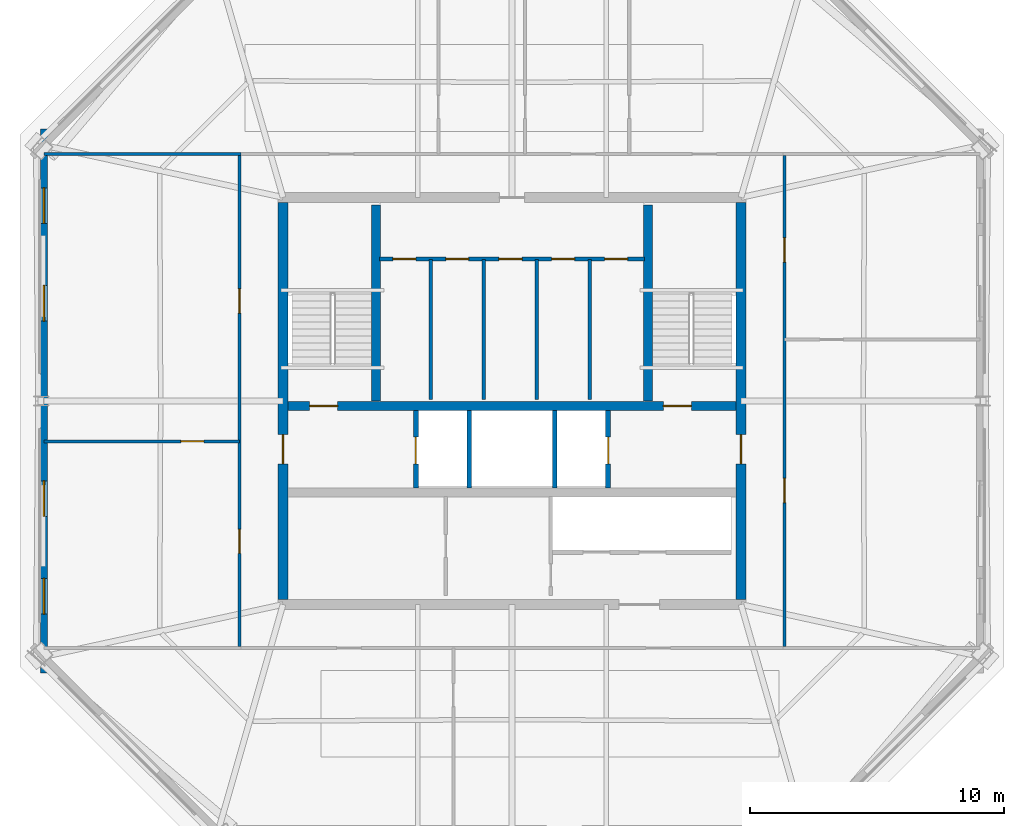
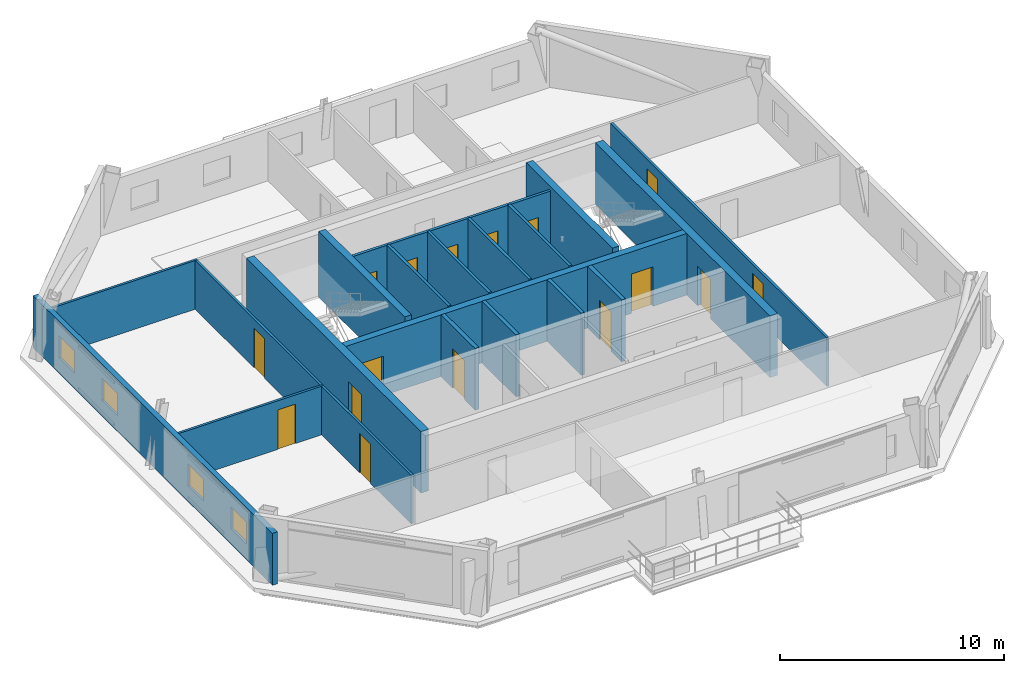
# One storey, part 3 of 7: 19 walls, 16 doors, 4 windows, 20 openings.
"""IFC4 building model written with IfcOpenShell, lengths in metres."""

from ifc_helpers import new_model, si_unit, direction, frame, frame_2d, origin, place, context, subcontext, project, spatial, rectangle, extrude, material, layer, layer_set, type_object, element, fill, save


model = new_model("IFC4")

# Units and contexts
model_context = context("Model", 3, precision=1e-05, world=origin(), true_north=direction((0.0, 1.0)))
body_context = subcontext(model_context, "Body", "Model", "MODEL_VIEW")
ifc_project = project(units=[si_unit("LENGTHUNIT", "METRE"), si_unit("AREAUNIT", "SQUARE_METRE"), si_unit("VOLUMEUNIT", "CUBIC_METRE"), si_unit("PLANEANGLEUNIT", "RADIAN"), si_unit("MASSUNIT", "GRAM", prefix="KILO")], contexts=[model_context])

# Site, building, storey
site_placement = place(None, origin())
site = spatial("IfcSite", under=ifc_project, at=site_placement, CompositionType="ELEMENT")
building_placement = place(site_placement, origin())
building = spatial("IfcBuilding", under=site, at=building_placement, Name="Caelvoria Tower", CompositionType="ELEMENT")
storey_placement = place(building_placement, frame((0.0, 0.0, 257.39990234375)))
storey = spatial("IfcBuildingStorey", under=building, at=storey_placement, Name="L68", CompositionType="ELEMENT", Elevation=257.39990234375)

# Wall, openings, doors
ifc_material_1 = material(Name="Concrete C50/60", Category="concrete")
ifc_layer_1 = layer(ifc_material_1, 0.35009765625, Name="Concrete C50/60")
ifc_layer_set_1 = layer_set([ifc_layer_1], Name="Core Internal Shear Wall 350 - Concrete C50/60")
wall_type_1 = type_object("IfcWallType", Name="Core Internal Shear Wall 350", PredefinedType="SHEAR", material=ifc_layer_set_1)
wall_1_placement = place(storey_placement, frame((37.199951171875, 31.800048828125, 0.0), z_axis=(0.0, 0.0, 1.0), x_axis=(1.0, 0.0, 0.0)))
wall_1 = element("IfcWall", 1, at=wall_1_placement, inside=storey, type_object=wall_type_1, Name="Core Shear Wall L68 M1", PredefinedType="SHEAR", context=body_context, shape_type="SweptSolid", body=[
    extrude(rectangle(XDim=17.60009765625, YDim=0.35009765625, at=frame_2d((8.800048828125, 0.0))), origin(), (0.0, 0.0, 1.0), 3.360107421875),
])
opening_1_placement = place(wall_1_placement, frame((0.85009765625, 0.0, 0.0)))
opening_1 = element("IfcOpeningElement", 2, at=opening_1_placement, cuts=wall_1, Name="Opening ID-01", PredefinedType="OPENING", context=body_context, shape_type="SweptSolid", body=[
    extrude(rectangle(XDim=1.10009765625, YDim=2.14990234375, at=frame_2d((0.550048828125, 1.074951171875))), frame((0.0, 0.18505859375, 0.0), z_axis=(0.0, -1.0, 0.0), x_axis=(1.0, 0.0, 0.0)), (0.0, 0.0, 1.0), 0.3701171875),
])
opening_2_placement = place(wall_1_placement, frame((14.75, 0.0, 0.0)))
opening_2 = element("IfcOpeningElement", 3, at=opening_2_placement, cuts=wall_1, Name="Opening ID-01", PredefinedType="OPENING", context=body_context, shape_type="SweptSolid", body=[
    extrude(rectangle(XDim=1.10009765625, YDim=2.14990234375, at=frame_2d((0.550048828125, 1.074951171875))), frame((0.0, 0.18505859375, 0.0), z_axis=(0.0, -1.0, 0.0), x_axis=(1.0, 0.0, 0.0)), (0.0, 0.0, 1.0), 0.3701171875),
])
ifc_material_2 = material(Name="Painted Hollow Steel Fire Door", Category="steel")
door_type_1 = type_object("IfcDoorType", Name="Fire Door FD90S 1100x2150", OperationType="NOTDEFINED", PredefinedType="DOOR", material=ifc_material_2)
door_1_placement = place(opening_1_placement, origin())
door_1 = element("IfcDoor", 4, at=door_1_placement, inside=storey, type_object=door_type_1, Name="Core Door DR-L68-ST1", OperationType="SINGLE_SWING_LEFT", OverallHeight=2.14990234375, OverallWidth=1.10009765625, PredefinedType="DOOR", context=body_context, shape_type="SweptSolid", body=[
    extrude(rectangle(XDim=1.10009765625, YDim=2.14990234375, at=frame_2d((0.550048828125, 1.074951171875))), frame((0.0, 0.02490234375, 0.0), z_axis=(0.0, -1.0, 0.0), x_axis=(1.0, 0.0, 0.0)), (0.0, 0.0, 1.0), 0.050048828125),
])
fill(opening_1, door_1)
door_2_placement = place(opening_2_placement, origin())
door_2 = element("IfcDoor", 5, at=door_2_placement, inside=storey, type_object=door_type_1, Name="Core Door DR-L68-ST2", OperationType="SINGLE_SWING_RIGHT", OverallHeight=2.14990234375, OverallWidth=1.10009765625, PredefinedType="DOOR", context=body_context, shape_type="SweptSolid", body=[
    extrude(rectangle(XDim=1.10009765625, YDim=2.14990234375, at=frame_2d((0.550048828125, 1.074951171875))), frame((0.0, 0.02490234375, 0.0), z_axis=(0.0, -1.0, 0.0), x_axis=(1.0, 0.0, 0.0)), (0.0, 0.0, 1.0), 0.050048828125),
])
fill(opening_2, door_2)

# Walls
for number, where, z_axis, x_axis, name in (
    (6, (40.64990234375, 32.0, 0.0), (0.0, 0.0, 1.0), (0.0, 1.0, 0.0), "Interior Partition IW-L68-ST1E"),
    (7, (51.35009765625, 32.0, 0.0), (0.0, 0.0, 1.0), (0.0, 1.0, 0.0), "Interior Partition IW-L68-ST2W"),
):
    element("IfcWall", number, at=place(storey_placement, frame(where, z_axis=z_axis, x_axis=x_axis)), inside=storey, type_object=wall_type_1, Name=name, PredefinedType="SHEAR", context=body_context, shape_type="SweptSolid", body=[
        extrude(rectangle(XDim=7.699951171875, YDim=0.35009765625, at=frame_2d((3.85009765625, 0.0))), origin(), (0.0, 0.0, 1.0), 3.60009765625),
    ])
ifc_material_3 = material(Name="Moisture-Resistant Gypsum on Steel Stud", Category="steel")
ifc_layer_2 = layer(ifc_material_3, 0.139892578125, Name="Moisture-Resistant Gypsum on Steel Stud")
ifc_layer_set_2 = layer_set([ifc_layer_2], Name="Core Sanitary Acoustic Partition Wall 140 - Moisture-Resistant Gypsum on Steel Stud")
wall_type_2 = type_object("IfcWallType", Name="Core Sanitary Acoustic Partition Wall 140", PredefinedType="PARTITIONING", material=ifc_layer_set_2)
for number, where, z_axis, x_axis, name in (
    (8, (42.81005859375, 32.050048828125, 0.0), (0.0, 0.0, 1.0), (0.0, 1.0, 0.0), "Interior Partition IW-L68-C1V0"),
    (9, (44.889892578125, 32.050048828125, 0.0), (0.0, 0.0, 1.0), (0.0, 1.0, 0.0), "Interior Partition IW-L68-C1V1"),
    (10, (46.969970703125, 32.050048828125, 0.0), (0.0, 0.0, 1.0), (0.0, 1.0, 0.0), "Interior Partition IW-L68-C1V2"),
    (11, (49.050048828125, 32.050048828125, 0.0), (0.0, 0.0, 1.0), (0.0, 1.0, 0.0), "Interior Partition IW-L68-C1V3"),
):
    element("IfcWall", number, at=place(storey_placement, frame(where, z_axis=z_axis, x_axis=x_axis)), inside=storey, type_object=wall_type_2, Name=name, PredefinedType="PARTITIONING", context=body_context, shape_type="SweptSolid", body=[
        extrude(rectangle(XDim=5.5, YDim=0.139892578125, at=frame_2d((2.75, 0.0))), origin(), (0.0, 0.0, 1.0), 3.375),
    ])

# Wall, openings, doors
wall_2_placement = place(storey_placement, frame((40.800048828125, 37.580078125, 0.0), z_axis=(0.0, 0.0, 1.0), x_axis=(1.0, 0.0, 0.0)))
wall_2 = element("IfcWall", 12, at=wall_2_placement, inside=storey, type_object=wall_type_2, Name="Interior Partition IW-L68-C1H", PredefinedType="PARTITIONING", context=body_context, shape_type="SweptSolid", body=[
    extrude(rectangle(XDim=10.39990234375, YDim=0.139892578125, at=frame_2d((5.199951171875, 0.0))), origin(), (0.0, 0.0, 1.0), 3.375),
])
opening_3_placement = place(wall_2_placement, frame((0.52001953125, 0.0, 0.0)))
opening_3 = element("IfcOpeningElement", 13, at=opening_3_placement, cuts=wall_2, Name="Opening ID-06", PredefinedType="OPENING", context=body_context, shape_type="SweptSolid", body=[
    extrude(rectangle(XDim=0.89990234375, YDim=2.14990234375, at=frame_2d((0.449951171875, 1.074951171875))), frame((0.0, 0.079833984375, 0.0), z_axis=(0.0, -1.0, 0.0), x_axis=(1.0, 0.0, 0.0)), (0.0, 0.0, 1.0), 0.159912109375),
])
opening_4_placement = place(wall_2_placement, frame((2.60009765625, 0.0, 0.0)))
opening_4 = element("IfcOpeningElement", 14, at=opening_4_placement, cuts=wall_2, Name="Opening ID-06", PredefinedType="OPENING", context=body_context, shape_type="SweptSolid", body=[
    extrude(rectangle(XDim=0.89990234375, YDim=2.14990234375, at=frame_2d((0.449951171875, 1.074951171875))), frame((0.0, 0.079833984375, 0.0), z_axis=(0.0, -1.0, 0.0), x_axis=(1.0, 0.0, 0.0)), (0.0, 0.0, 1.0), 0.159912109375),
])
opening_5_placement = place(wall_2_placement, frame((4.679931640625, 0.0, 0.0)))
opening_5 = element("IfcOpeningElement", 15, at=opening_5_placement, cuts=wall_2, Name="Opening ID-07", PredefinedType="OPENING", context=body_context, shape_type="SweptSolid", body=[
    extrude(rectangle(XDim=0.919921875, YDim=2.14990234375, at=frame_2d((0.4599609375, 1.074951171875))), frame((0.0, 0.079833984375, 0.0), z_axis=(0.0, -1.0, 0.0), x_axis=(1.0, 0.0, 0.0)), (0.0, 0.0, 1.0), 0.159912109375),
])
opening_6_placement = place(wall_2_placement, frame((6.760009765625, 0.0, 0.0)))
opening_6 = element("IfcOpeningElement", 16, at=opening_6_placement, cuts=wall_2, Name="Opening ID-06", PredefinedType="OPENING", context=body_context, shape_type="SweptSolid", body=[
    extrude(rectangle(XDim=0.89990234375, YDim=2.14990234375, at=frame_2d((0.449951171875, 1.074951171875))), frame((0.0, 0.079833984375, 0.0), z_axis=(0.0, -1.0, 0.0), x_axis=(1.0, 0.0, 0.0)), (0.0, 0.0, 1.0), 0.159912109375),
])
opening_7_placement = place(wall_2_placement, frame((8.840087890625, 0.0, 0.0)))
opening_7 = element("IfcOpeningElement", 17, at=opening_7_placement, cuts=wall_2, Name="Opening ID-06", PredefinedType="OPENING", context=body_context, shape_type="SweptSolid", body=[
    extrude(rectangle(XDim=0.89990234375, YDim=2.14990234375, at=frame_2d((0.449951171875, 1.074951171875))), frame((0.0, 0.079833984375, 0.0), z_axis=(0.0, -1.0, 0.0), x_axis=(1.0, 0.0, 0.0)), (0.0, 0.0, 1.0), 0.159912109375),
])
ifc_material_4 = material(Name="Engineered Andean Oak Accessible Door", Category="wood")
door_type_2 = type_object("IfcDoorType", Name="Accessible WC Door 950x2150", OperationType="NOTDEFINED", PredefinedType="DOOR", material=ifc_material_4)
door_3_placement = place(opening_5_placement, origin())
door_3 = element("IfcDoor", 18, at=door_3_placement, inside=storey, type_object=door_type_2, Name="Interior Door DR-L68-C1-3", OperationType="SINGLE_SWING_LEFT", OverallHeight=2.14990234375, OverallWidth=0.919921875, PredefinedType="DOOR", context=body_context, shape_type="SweptSolid", body=[
    extrude(rectangle(XDim=0.919921875, YDim=2.14990234375, at=frame_2d((0.4599609375, 1.074951171875))), frame((0.0, 0.02490234375, 0.0), z_axis=(0.0, -1.0, 0.0), x_axis=(1.0, 0.0, 0.0)), (0.0, 0.0, 1.0), 0.050048828125),
])
fill(opening_5, door_3)
ifc_material_5 = material(Name="Engineered Andean Oak Veneer Door", Category="wood")
door_type_3 = type_object("IfcDoorType", Name="Interior Timber Door 900x2150", OperationType="NOTDEFINED", PredefinedType="DOOR", material=ifc_material_5)
door_4_placement = place(opening_3_placement, origin())
door_4 = element("IfcDoor", 19, at=door_4_placement, inside=storey, type_object=door_type_3, Name="Interior Door DR-L68-C1-1", OperationType="SINGLE_SWING_LEFT", OverallHeight=2.14990234375, OverallWidth=0.89990234375, PredefinedType="DOOR", context=body_context, shape_type="SweptSolid", body=[
    extrude(rectangle(XDim=0.89990234375, YDim=2.14990234375, at=frame_2d((0.449951171875, 1.074951171875))), frame((0.0, 0.02490234375, 0.0), z_axis=(0.0, -1.0, 0.0), x_axis=(1.0, 0.0, 0.0)), (0.0, 0.0, 1.0), 0.050048828125),
])
fill(opening_3, door_4)
door_5_placement = place(opening_4_placement, origin())
door_5 = element("IfcDoor", 20, at=door_5_placement, inside=storey, type_object=door_type_3, Name="Interior Door DR-L68-C1-2", OperationType="SINGLE_SWING_RIGHT", OverallHeight=2.14990234375, OverallWidth=0.89990234375, PredefinedType="DOOR", context=body_context, shape_type="SweptSolid", body=[
    extrude(rectangle(XDim=0.89990234375, YDim=2.14990234375, at=frame_2d((0.449951171875, 1.074951171875))), frame((0.0, 0.02490234375, 0.0), z_axis=(0.0, -1.0, 0.0), x_axis=(1.0, 0.0, 0.0)), (0.0, 0.0, 1.0), 0.050048828125),
])
fill(opening_4, door_5)
door_6_placement = place(opening_6_placement, origin())
door_6 = element("IfcDoor", 21, at=door_6_placement, inside=storey, type_object=door_type_3, Name="Interior Door DR-L68-C1-4", OperationType="SINGLE_SWING_RIGHT", OverallHeight=2.14990234375, OverallWidth=0.89990234375, PredefinedType="DOOR", context=body_context, shape_type="SweptSolid", body=[
    extrude(rectangle(XDim=0.89990234375, YDim=2.14990234375, at=frame_2d((0.449951171875, 1.074951171875))), frame((0.0, 0.02490234375, 0.0), z_axis=(0.0, -1.0, 0.0), x_axis=(1.0, 0.0, 0.0)), (0.0, 0.0, 1.0), 0.050048828125),
])
fill(opening_6, door_6)
door_7_placement = place(opening_7_placement, origin())
door_7 = element("IfcDoor", 22, at=door_7_placement, inside=storey, type_object=door_type_3, Name="Interior Door DR-L68-C1-5", OperationType="SINGLE_SWING_LEFT", OverallHeight=2.14990234375, OverallWidth=0.89990234375, PredefinedType="DOOR", context=body_context, shape_type="SweptSolid", body=[
    extrude(rectangle(XDim=0.89990234375, YDim=2.14990234375, at=frame_2d((0.449951171875, 1.074951171875))), frame((0.0, 0.02490234375, 0.0), z_axis=(0.0, -1.0, 0.0), x_axis=(1.0, 0.0, 0.0)), (0.0, 0.0, 1.0), 0.050048828125),
])
fill(opening_7, door_7)

# Walls
ifc_material_6 = material(Name="Concrete Block and Fireboard Assembly", Category="concrete")
ifc_layer_3 = layer(ifc_material_6, 0.179931640625, Name="Concrete Block and Fireboard Assembly")
ifc_layer_set_3 = layer_set([ifc_layer_3], Name="Fire-Rated Hoistway Partition Wall 180 - Concrete Block and Fireboard Assembly")
wall_type_3 = type_object("IfcWallType", Name="Fire-Rated Hoistway Partition Wall 180", PredefinedType="PARTITIONING", material=ifc_layer_set_3)
for number, where, z_axis, x_axis, name in (
    (23, (44.320068359375, 28.580078125, 0.0), (0.0, 0.0, 1.0), (0.0, 1.0, 0.0), "Interior Partition IW-L68-SV1W"),
    (24, (47.679931640625, 28.580078125, 0.0), (0.0, 0.0, 1.0), (0.0, 1.0, 0.0), "Interior Partition IW-L68-SV1E"),
):
    element("IfcWall", number, at=place(storey_placement, frame(where, z_axis=z_axis, x_axis=x_axis)), inside=storey, type_object=wall_type_3, Name=name, PredefinedType="PARTITIONING", context=body_context, shape_type="SweptSolid", body=[
        extrude(rectangle(XDim=3.0400390625, YDim=0.179931640625, at=frame_2d((1.52001953125, 0.0))), origin(), (0.0, 0.0, 1.0), 3.375),
    ])

# Wall, opening, door
ifc_layer_4 = layer(ifc_material_6, 0.199951171875, Name="Concrete Block and Fireboard Assembly")
ifc_layer_set_4 = layer_set([ifc_layer_4], Name="Fire-Rated Shaft and Core Partition Wall 200 - Concrete Block and Fireboard Assembly")
wall_type_4 = type_object("IfcWallType", Name="Fire-Rated Shaft and Core Partition Wall 200", PredefinedType="PARTITIONING", material=ifc_layer_set_4)
wall_3_placement = place(storey_placement, frame((42.219970703125, 28.580078125, 0.0), z_axis=(0.0, 0.0, 1.0), x_axis=(0.0, 1.0, 0.0)))
wall_3 = element("IfcWall", 25, at=wall_3_placement, inside=storey, type_object=wall_type_4, Name="Interior Partition IW-L68-LF1W", PredefinedType="PARTITIONING", context=body_context, shape_type="SweptSolid", body=[
    extrude(rectangle(XDim=3.0400390625, YDim=0.199951171875, at=frame_2d((1.52001953125, 0.0))), origin(), (0.0, 0.0, 1.0), 3.375),
])
opening_8_placement = place(wall_3_placement, frame((0.949951171875, 0.0, 0.0)))
opening_8 = element("IfcOpeningElement", 26, at=opening_8_placement, cuts=wall_3, Name="Opening LD-01", PredefinedType="OPENING", context=body_context, shape_type="SweptSolid", body=[
    extrude(rectangle(XDim=1.050048828125, YDim=2.14990234375, at=frame_2d((0.52490234375, 1.074951171875))), frame((0.0, 0.10986328125, 0.0), z_axis=(0.0, -1.0, 0.0), x_axis=(1.0, 0.0, 0.0)), (0.0, 0.0, 1.0), 0.219970703125),
])
ifc_material_7 = material(Name="Brushed Bronze Stainless Sliding Landing Door", Category="aluminium")
door_type_4 = type_object("IfcDoorType", Name="Lift Landing Sliding Door 1100x2150", OperationType="NOTDEFINED", PredefinedType="DOOR", material=ifc_material_7)
door_8_placement = place(opening_8_placement, origin())
door_8 = element("IfcDoor", 27, at=door_8_placement, inside=storey, type_object=door_type_4, Name="Interior Door LD-L68-LF1", OperationType="SLIDING_TO_LEFT", OverallHeight=2.14990234375, OverallWidth=1.050048828125, PredefinedType="DOOR", context=body_context, shape_type="SweptSolid", body=[
    extrude(rectangle(XDim=1.050048828125, YDim=2.14990234375, at=frame_2d((0.52490234375, 1.074951171875))), frame((0.0, 0.02490234375, 0.0), z_axis=(0.0, -1.0, 0.0), x_axis=(1.0, 0.0, 0.0)), (0.0, 0.0, 1.0), 0.050048828125),
])
fill(opening_8, door_8)

wall_4_placement = place(storey_placement, frame((49.780029296875, 28.580078125, 0.0), z_axis=(0.0, 0.0, 1.0), x_axis=(0.0, 1.0, 0.0)))
wall_4 = element("IfcWall", 28, at=wall_4_placement, inside=storey, type_object=wall_type_4, Name="Interior Partition IW-L68-LF2E", PredefinedType="PARTITIONING", context=body_context, shape_type="SweptSolid", body=[
    extrude(rectangle(XDim=3.0400390625, YDim=0.199951171875, at=frame_2d((1.52001953125, 0.0))), origin(), (0.0, 0.0, 1.0), 3.375),
])
opening_9_placement = place(wall_4_placement, frame((0.949951171875, 0.0, 0.0)))
opening_9 = element("IfcOpeningElement", 29, at=opening_9_placement, cuts=wall_4, Name="Opening LD-01", PredefinedType="OPENING", context=body_context, shape_type="SweptSolid", body=[
    extrude(rectangle(XDim=1.050048828125, YDim=2.14990234375, at=frame_2d((0.52490234375, 1.074951171875))), frame((0.0, 0.10986328125, 0.0), z_axis=(0.0, -1.0, 0.0), x_axis=(1.0, 0.0, 0.0)), (0.0, 0.0, 1.0), 0.219970703125),
])
door_9_placement = place(opening_9_placement, origin())
door_9 = element("IfcDoor", 30, at=door_9_placement, inside=storey, type_object=door_type_4, Name="Interior Door LD-L68-LF2", OperationType="SLIDING_TO_RIGHT", OverallHeight=2.14990234375, OverallWidth=1.050048828125, PredefinedType="DOOR", context=body_context, shape_type="SweptSolid", body=[
    extrude(rectangle(XDim=1.050048828125, YDim=2.14990234375, at=frame_2d((0.52490234375, 1.074951171875))), frame((0.0, 0.02490234375, 0.0), z_axis=(0.0, -1.0, 0.0), x_axis=(1.0, 0.0, 0.0)), (0.0, 0.0, 1.0), 0.050048828125),
])
fill(opening_9, door_9)

ifc_layer_5 = layer(ifc_material_1, 0.39990234375, Name="Concrete C50/60")
ifc_layer_set_5 = layer_set([ifc_layer_5], Name="Summit Core Shear Wall 400 - Concrete C50/60")
wall_type_5 = type_object("IfcWallType", Name="Summit Core Shear Wall 400", PredefinedType="SHEAR", material=ifc_layer_set_5)
wall_5_placement = place(storey_placement, frame((37.0, 24.199951171875, 0.0), z_axis=(0.0, 0.0, 1.0), x_axis=(0.0, 1.0, 0.0)))
wall_5 = element("IfcWall", 31, at=wall_5_placement, inside=storey, type_object=wall_type_5, Name="Core Shear Wall L68 W", PredefinedType="SHEAR", context=body_context, shape_type="SweptSolid", body=[
    extrude(rectangle(XDim=15.60009765625, YDim=0.39990234375, at=frame_2d((7.800048828125, 0.0))), origin(), (0.0, 0.0, 1.0), 3.360107421875),
])
opening_10_placement = place(wall_5_placement, frame((5.324951171875, 0.0, 0.0)))
opening_10 = element("IfcOpeningElement", 32, at=opening_10_placement, cuts=wall_5, Name="Opening ID-02", PredefinedType="OPENING", context=body_context, shape_type="SweptSolid", body=[
    extrude(rectangle(XDim=1.14990234375, YDim=2.14990234375, at=frame_2d((0.574951171875, 1.074951171875))), frame((0.0, 0.2099609375, 0.0), z_axis=(0.0, -1.0, 0.0), x_axis=(1.0, 0.0, 0.0)), (0.0, 0.0, 1.0), 0.419921875),
])
door_type_5 = type_object("IfcDoorType", Name="Fire Door FD60S 1150x2150", OperationType="NOTDEFINED", PredefinedType="DOOR", material=ifc_material_2)
door_10_placement = place(opening_10_placement, origin())
door_10 = element("IfcDoor", 33, at=door_10_placement, inside=storey, type_object=door_type_5, Name="Core Door DR-L68-FFLW-OUT", OperationType="SINGLE_SWING_LEFT", OverallHeight=2.14990234375, OverallWidth=1.14990234375, PredefinedType="DOOR", context=body_context, shape_type="SweptSolid", body=[
    extrude(rectangle(XDim=1.14990234375, YDim=2.14990234375, at=frame_2d((0.574951171875, 1.074951171875))), frame((0.0, 0.02490234375, 0.0), z_axis=(0.0, -1.0, 0.0), x_axis=(1.0, 0.0, 0.0)), (0.0, 0.0, 1.0), 0.050048828125),
])
fill(opening_10, door_10)

wall_6_placement = place(storey_placement, frame((55.0, 24.199951171875, 0.0), z_axis=(0.0, 0.0, 1.0), x_axis=(0.0, 1.0, 0.0)))
wall_6 = element("IfcWall", 34, at=wall_6_placement, inside=storey, type_object=wall_type_5, Name="Core Shear Wall L68 E", PredefinedType="SHEAR", context=body_context, shape_type="SweptSolid", body=[
    extrude(rectangle(XDim=15.60009765625, YDim=0.39990234375, at=frame_2d((7.800048828125, 0.0))), origin(), (0.0, 0.0, 1.0), 3.360107421875),
])
opening_11_placement = place(wall_6_placement, frame((5.324951171875, 0.0, 0.0)))
opening_11 = element("IfcOpeningElement", 35, at=opening_11_placement, cuts=wall_6, Name="Opening ID-02", PredefinedType="OPENING", context=body_context, shape_type="SweptSolid", body=[
    extrude(rectangle(XDim=1.14990234375, YDim=2.14990234375, at=frame_2d((0.574951171875, 1.074951171875))), frame((0.0, 0.2099609375, 0.0), z_axis=(0.0, -1.0, 0.0), x_axis=(1.0, 0.0, 0.0)), (0.0, 0.0, 1.0), 0.419921875),
])
door_11_placement = place(opening_11_placement, origin())
door_11 = element("IfcDoor", 36, at=door_11_placement, inside=storey, type_object=door_type_5, Name="Core Door DR-L68-FFLE-OUT", OperationType="SINGLE_SWING_RIGHT", OverallHeight=2.14990234375, OverallWidth=1.14990234375, PredefinedType="DOOR", context=body_context, shape_type="SweptSolid", body=[
    extrude(rectangle(XDim=1.14990234375, YDim=2.14990234375, at=frame_2d((0.574951171875, 1.074951171875))), frame((0.0, 0.02490234375, 0.0), z_axis=(0.0, -1.0, 0.0), x_axis=(1.0, 0.0, 0.0)), (0.0, 0.0, 1.0), 0.050048828125),
])
fill(opening_11, door_11)

ifc_material_8 = material(Name="Acoustic Gypsum Board on Light-Gauge Stud", Category="gypsum")
ifc_layer_6 = layer(ifc_material_8, 0.1201171875, Name="Acoustic Gypsum Board on Light-Gauge Stud")
ifc_layer_set_6 = layer_set([ifc_layer_6], Name="Tenant Suite Acoustic Partition Wall 120 - Acoustic Gypsum Board on Light-Gauge Stud")
wall_type_6 = type_object("IfcWallType", Name="Tenant Suite Acoustic Partition Wall 120", PredefinedType="PARTITIONING", material=ifc_layer_set_6)
wall_7_placement = place(storey_placement, frame((35.2900390625, 30.4130859375, 0.0), z_axis=(0.0, 0.0, 1.0), x_axis=(-1.0, 0.0, 0.0)))
wall_7 = element("IfcWall", 37, at=wall_7_placement, inside=storey, type_object=wall_type_6, Name="Interior Partition IW-L68-WD-00-0", PredefinedType="PARTITIONING", context=body_context, shape_type="SweptSolid", body=[
    extrude(rectangle(XDim=7.6865234375, YDim=0.1201171875, at=frame_2d((3.84326171875, 0.0))), origin(), (0.0, 0.0, 1.0), 2.655029296875),
])
opening_12_placement = place(wall_7_placement, frame((1.39990234375, 0.0, 0.0)))
opening_12 = element("IfcOpeningElement", 38, at=opening_12_placement, cuts=wall_7, Name="Opening ID-06", PredefinedType="OPENING", context=body_context, shape_type="SweptSolid", body=[
    extrude(rectangle(XDim=0.89990234375, YDim=2.14990234375, at=frame_2d((0.449951171875, 1.074951171875))), frame((0.0, 0.070068359375, 0.0), z_axis=(0.0, -1.0, 0.0), x_axis=(1.0, 0.0, 0.0)), (0.0, 0.0, 1.0), 0.14013671875),
])
door_12_placement = place(opening_12_placement, origin())
door_12 = element("IfcDoor", 39, at=door_12_placement, inside=storey, type_object=door_type_3, Name="Interior Door DR-L68-WM-00-0", OperationType="SINGLE_SWING_RIGHT", OverallHeight=2.14990234375, OverallWidth=0.89990234375, PredefinedType="DOOR", context=body_context, shape_type="SweptSolid", body=[
    extrude(rectangle(XDim=0.89990234375, YDim=2.14990234375, at=frame_2d((0.449951171875, 1.074951171875))), frame((0.0, 0.02490234375, 0.0), z_axis=(0.0, -1.0, 0.0), x_axis=(1.0, 0.0, 0.0)), (0.0, 0.0, 1.0), 0.050048828125),
])
fill(opening_12, door_12)

# Wall, openings, doors
wall_8_placement = place(storey_placement, frame((35.2900390625, 22.35009765625, 0.0), z_axis=(0.0, 0.0, 1.0), x_axis=(0.0, 1.0, 0.0)))
wall_8 = element("IfcWall", 40, at=wall_8_placement, inside=storey, type_object=wall_type_6, Name="Interior Partition IW-L68-WCW-0", PredefinedType="PARTITIONING", context=body_context, shape_type="SweptSolid", body=[
    extrude(rectangle(XDim=19.2998046875, YDim=0.1201171875, at=frame_2d((9.64990234375, 0.0))), origin(), (0.0, 0.0, 1.0), 2.655029296875),
])
opening_13_placement = place(wall_8_placement, frame((3.656494140625, 0.0, 0.0)))
opening_13 = element("IfcOpeningElement", 41, at=opening_13_placement, cuts=wall_8, Name="Opening ID-05", PredefinedType="OPENING", context=body_context, shape_type="SweptSolid", body=[
    extrude(rectangle(XDim=0.949951171875, YDim=2.14990234375, at=frame_2d((0.47509765625, 1.074951171875))), frame((0.0, 0.070068359375, 0.0), z_axis=(0.0, -1.0, 0.0), x_axis=(1.0, 0.0, 0.0)), (0.0, 0.0, 1.0), 0.14013671875),
])
opening_14_placement = place(wall_8_placement, frame((13.1064453125, 0.0, 0.0)))
opening_14 = element("IfcOpeningElement", 42, at=opening_14_placement, cuts=wall_8, Name="Opening ID-05", PredefinedType="OPENING", context=body_context, shape_type="SweptSolid", body=[
    extrude(rectangle(XDim=0.949951171875, YDim=2.14990234375, at=frame_2d((0.47509765625, 1.074951171875))), frame((0.0, 0.070068359375, 0.0), z_axis=(0.0, -1.0, 0.0), x_axis=(1.0, 0.0, 0.0)), (0.0, 0.0, 1.0), 0.14013671875),
])
door_type_6 = type_object("IfcDoorType", Name="Interior Timber Door 950x2150", OperationType="NOTDEFINED", PredefinedType="DOOR", material=ifc_material_5)
door_13_placement = place(opening_13_placement, origin())
door_13 = element("IfcDoor", 43, at=door_13_placement, inside=storey, type_object=door_type_6, Name="Interior Door DR-L68-WC-00-0", OperationType="SINGLE_SWING_LEFT", OverallHeight=2.14990234375, OverallWidth=0.949951171875, PredefinedType="DOOR", context=body_context, shape_type="SweptSolid", body=[
    extrude(rectangle(XDim=0.949951171875, YDim=2.14990234375, at=frame_2d((0.47509765625, 1.074951171875))), frame((0.0, 0.02490234375, 0.0), z_axis=(0.0, -1.0, 0.0), x_axis=(1.0, 0.0, 0.0)), (0.0, 0.0, 1.0), 0.050048828125),
])
fill(opening_13, door_13)
door_14_placement = place(opening_14_placement, origin())
door_14 = element("IfcDoor", 44, at=door_14_placement, inside=storey, type_object=door_type_6, Name="Interior Door DR-L68-WC-01-0", OperationType="SINGLE_SWING_RIGHT", OverallHeight=2.14990234375, OverallWidth=0.949951171875, PredefinedType="DOOR", context=body_context, shape_type="SweptSolid", body=[
    extrude(rectangle(XDim=0.949951171875, YDim=2.14990234375, at=frame_2d((0.47509765625, 1.074951171875))), frame((0.0, 0.02490234375, 0.0), z_axis=(0.0, -1.0, 0.0), x_axis=(1.0, 0.0, 0.0)), (0.0, 0.0, 1.0), 0.050048828125),
])
fill(opening_14, door_14)

wall_9_placement = place(storey_placement, frame((56.7099609375, 22.35009765625, 0.0), z_axis=(0.0, 0.0, 1.0), x_axis=(0.0, 1.0, 0.0)))
wall_9 = element("IfcWall", 45, at=wall_9_placement, inside=storey, type_object=wall_type_6, Name="Interior Partition IW-L68-ECW-0", PredefinedType="PARTITIONING", context=body_context, shape_type="SweptSolid", body=[
    extrude(rectangle(XDim=19.2998046875, YDim=0.1201171875, at=frame_2d((9.64990234375, 0.0))), origin(), (0.0, 0.0, 1.0), 2.655029296875),
])
opening_15_placement = place(wall_9_placement, frame((5.65673828125, 0.0, 0.0)))
opening_15 = element("IfcOpeningElement", 46, at=opening_15_placement, cuts=wall_9, Name="Opening ID-05", PredefinedType="OPENING", context=body_context, shape_type="SweptSolid", body=[
    extrude(rectangle(XDim=0.949951171875, YDim=2.14990234375, at=frame_2d((0.47509765625, 1.074951171875))), frame((0.0, 0.070068359375, 0.0), z_axis=(0.0, -1.0, 0.0), x_axis=(1.0, 0.0, 0.0)), (0.0, 0.0, 1.0), 0.14013671875),
])
opening_16_placement = place(wall_9_placement, frame((15.106689453125, 0.0, 0.0)))
opening_16 = element("IfcOpeningElement", 47, at=opening_16_placement, cuts=wall_9, Name="Opening ID-05", PredefinedType="OPENING", context=body_context, shape_type="SweptSolid", body=[
    extrude(rectangle(XDim=0.949951171875, YDim=2.14990234375, at=frame_2d((0.47509765625, 1.074951171875))), frame((0.0, 0.070068359375, 0.0), z_axis=(0.0, -1.0, 0.0), x_axis=(1.0, 0.0, 0.0)), (0.0, 0.0, 1.0), 0.14013671875),
])
door_15_placement = place(opening_15_placement, origin())
door_15 = element("IfcDoor", 48, at=door_15_placement, inside=storey, type_object=door_type_6, Name="Interior Door DR-L68-EC-00-0", OperationType="SINGLE_SWING_LEFT", OverallHeight=2.14990234375, OverallWidth=0.949951171875, PredefinedType="DOOR", context=body_context, shape_type="SweptSolid", body=[
    extrude(rectangle(XDim=0.949951171875, YDim=2.14990234375, at=frame_2d((0.47509765625, 1.074951171875))), frame((0.0, 0.02490234375, 0.0), z_axis=(0.0, -1.0, 0.0), x_axis=(1.0, 0.0, 0.0)), (0.0, 0.0, 1.0), 0.050048828125),
])
fill(opening_15, door_15)
door_16_placement = place(opening_16_placement, origin())
door_16 = element("IfcDoor", 49, at=door_16_placement, inside=storey, type_object=door_type_6, Name="Interior Door DR-L68-EC-01-0", OperationType="SINGLE_SWING_RIGHT", OverallHeight=2.14990234375, OverallWidth=0.949951171875, PredefinedType="DOOR", context=body_context, shape_type="SweptSolid", body=[
    extrude(rectangle(XDim=0.949951171875, YDim=2.14990234375, at=frame_2d((0.47509765625, 1.074951171875))), frame((0.0, 0.02490234375, 0.0), z_axis=(0.0, -1.0, 0.0), x_axis=(1.0, 0.0, 0.0)), (0.0, 0.0, 1.0), 0.050048828125),
])
fill(opening_16, door_16)

# Wall
wall_10_placement = place(storey_placement, frame((35.35009765625, 41.7099609375, 0.0), z_axis=(0.0, 0.0, 1.0), x_axis=(-1.0, 0.0, 0.0)))
element("IfcWall", 50, at=wall_10_placement, inside=storey, type_object=wall_type_6, Name="Interior Partition IW-L68-BNW-0", PredefinedType="PARTITIONING", context=body_context, shape_type="SweptSolid", body=[
    extrude(rectangle(XDim=7.74658203125, YDim=0.1201171875, at=frame_2d((3.873291015625, 0.0))), origin(), (0.0, 0.0, 1.0), 2.655029296875),
])

# Wall, openings, windows
ifc_material_9 = material(Name="Precast Concrete C40/50 with Bronze Cladding", Category="concrete")
ifc_layer_7 = layer(ifc_material_9, 0.264892578125, Name="Precast Concrete C40/50 with Bronze Cladding")
ifc_layer_set_7 = layer_set([ifc_layer_7], Name="Upper Taper Precast Concrete C40/50 Bronze Facade Wall 265 - Precast Concrete C40/50 with Bronze Cladding")
wall_type_7 = type_object("IfcWallType", Name="Upper Taper Precast Concrete C40/50 Bronze Facade Wall 265", PredefinedType="STANDARD", material=ifc_layer_set_7)
wall_11_placement = place(storey_placement, frame((27.603515625, 42.694580078125, 0.0), z_axis=(0.0, 0.0, 1.0), x_axis=(0.0, -1.0, 0.0)))
wall_11 = element("IfcWall", 51, at=wall_11_placement, inside=storey, type_object=wall_type_7, Name="Exterior Facade Wall L68-E6", PredefinedType="STANDARD", context=body_context, shape_type="SweptSolid", body=[
    extrude(rectangle(XDim=21.38916015625, YDim=0.264892578125, at=frame_2d((10.694580078125, 0.0))), origin(), (0.0, 0.0, 1.0), 2.83203125),
])
opening_17_placement = place(wall_11_placement, frame((2.31884765625, 0.0, 0.85009765625)))
opening_17 = element("IfcOpeningElement", 52, at=opening_17_placement, cuts=wall_11, Name="Opening WN-06", PredefinedType="OPENING", context=body_context, shape_type="SweptSolid", body=[
    extrude(rectangle(XDim=1.39990234375, YDim=1.199951171875, at=frame_2d((0.699951171875, 0.60009765625))), frame((0.0, 0.142333984375, 0.0), z_axis=(0.0, -1.0, 0.0), x_axis=(1.0, 0.0, 0.0)), (0.0, 0.0, 1.0), 0.284912109375),
])
opening_18_placement = place(wall_11_placement, frame((6.15673828125, 0.0, 0.85009765625)))
opening_18 = element("IfcOpeningElement", 53, at=opening_18_placement, cuts=wall_11, Name="Opening WN-06", PredefinedType="OPENING", context=body_context, shape_type="SweptSolid", body=[
    extrude(rectangle(XDim=1.39990234375, YDim=1.199951171875, at=frame_2d((0.699951171875, 0.60009765625))), frame((0.0, 0.142333984375, 0.0), z_axis=(0.0, -1.0, 0.0), x_axis=(1.0, 0.0, 0.0)), (0.0, 0.0, 1.0), 0.284912109375),
])
opening_19_placement = place(wall_11_placement, frame((13.832275390625, 0.0, 0.85009765625)))
opening_19 = element("IfcOpeningElement", 54, at=opening_19_placement, cuts=wall_11, Name="Opening WN-06", PredefinedType="OPENING", context=body_context, shape_type="SweptSolid", body=[
    extrude(rectangle(XDim=1.39990234375, YDim=1.199951171875, at=frame_2d((0.699951171875, 0.60009765625))), frame((0.0, 0.142333984375, 0.0), z_axis=(0.0, -1.0, 0.0), x_axis=(1.0, 0.0, 0.0)), (0.0, 0.0, 1.0), 0.284912109375),
])
opening_20_placement = place(wall_11_placement, frame((17.670166015625, 0.0, 0.85009765625)))
opening_20 = element("IfcOpeningElement", 55, at=opening_20_placement, cuts=wall_11, Name="Opening WN-06", PredefinedType="OPENING", context=body_context, shape_type="SweptSolid", body=[
    extrude(rectangle(XDim=1.39990234375, YDim=1.199951171875, at=frame_2d((0.699951171875, 0.60009765625))), frame((0.0, 0.142333984375, 0.0), z_axis=(0.0, -1.0, 0.0), x_axis=(1.0, 0.0, 0.0)), (0.0, 0.0, 1.0), 0.284912109375),
])
ifc_material_10 = material(Name="Low-E Tinted Glass in Bronze Aluminium Frame", Category="aluminium")
window_type = type_object("IfcWindowType", Name="Podium Clerestory Window 1400x1200", PartitioningType="SINGLE_PANEL", PredefinedType="WINDOW", material=ifc_material_10)
window_1_placement = place(opening_17_placement, origin())
window_1 = element("IfcWindow", 56, at=window_1_placement, inside=storey, type_object=window_type, Name="Facade Window L68-E6-00", OverallHeight=1.199951171875, OverallWidth=1.39990234375, PartitioningType="SINGLE_PANEL", PredefinedType="WINDOW", context=body_context, shape_type="SweptSolid", body=[
    extrude(rectangle(XDim=1.39990234375, YDim=1.199951171875, at=frame_2d((0.699951171875, 0.60009765625))), frame((0.0, 0.030029296875, 0.0), z_axis=(0.0, -1.0, 0.0), x_axis=(1.0, 0.0, 0.0)), (0.0, 0.0, 1.0), 0.06005859375),
])
fill(opening_17, window_1)
window_2_placement = place(opening_18_placement, origin())
window_2 = element("IfcWindow", 57, at=window_2_placement, inside=storey, type_object=window_type, Name="Facade Window L68-E6-01", OverallHeight=1.199951171875, OverallWidth=1.39990234375, PartitioningType="SINGLE_PANEL", PredefinedType="WINDOW", context=body_context, shape_type="SweptSolid", body=[
    extrude(rectangle(XDim=1.39990234375, YDim=1.199951171875, at=frame_2d((0.699951171875, 0.60009765625))), frame((0.0, 0.030029296875, 0.0), z_axis=(0.0, -1.0, 0.0), x_axis=(1.0, 0.0, 0.0)), (0.0, 0.0, 1.0), 0.06005859375),
])
fill(opening_18, window_2)
window_3_placement = place(opening_19_placement, origin())
window_3 = element("IfcWindow", 58, at=window_3_placement, inside=storey, type_object=window_type, Name="Facade Window L68-E6-03", OverallHeight=1.199951171875, OverallWidth=1.39990234375, PartitioningType="SINGLE_PANEL", PredefinedType="WINDOW", context=body_context, shape_type="SweptSolid", body=[
    extrude(rectangle(XDim=1.39990234375, YDim=1.199951171875, at=frame_2d((0.699951171875, 0.60009765625))), frame((0.0, 0.030029296875, 0.0), z_axis=(0.0, -1.0, 0.0), x_axis=(1.0, 0.0, 0.0)), (0.0, 0.0, 1.0), 0.06005859375),
])
fill(opening_19, window_3)
window_4_placement = place(opening_20_placement, origin())
window_4 = element("IfcWindow", 59, at=window_4_placement, inside=storey, type_object=window_type, Name="Facade Window L68-E6-04", OverallHeight=1.199951171875, OverallWidth=1.39990234375, PartitioningType="SINGLE_PANEL", PredefinedType="WINDOW", context=body_context, shape_type="SweptSolid", body=[
    extrude(rectangle(XDim=1.39990234375, YDim=1.199951171875, at=frame_2d((0.699951171875, 0.60009765625))), frame((0.0, 0.030029296875, 0.0), z_axis=(0.0, -1.0, 0.0), x_axis=(1.0, 0.0, 0.0)), (0.0, 0.0, 1.0), 0.06005859375),
])
fill(opening_20, window_4)

save(model, "model.ifc")
